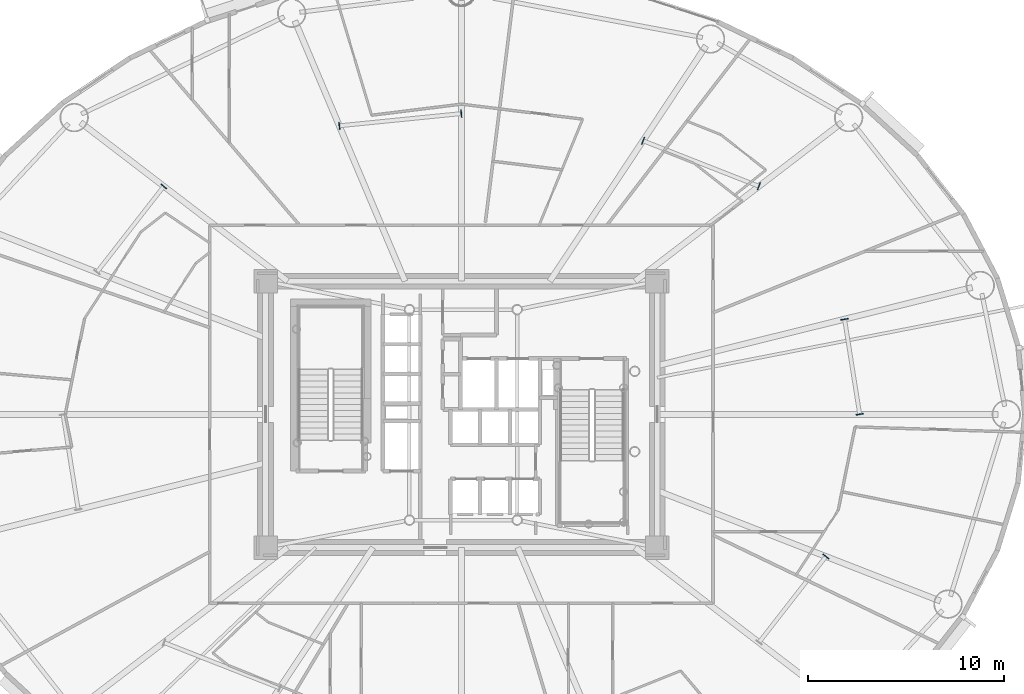
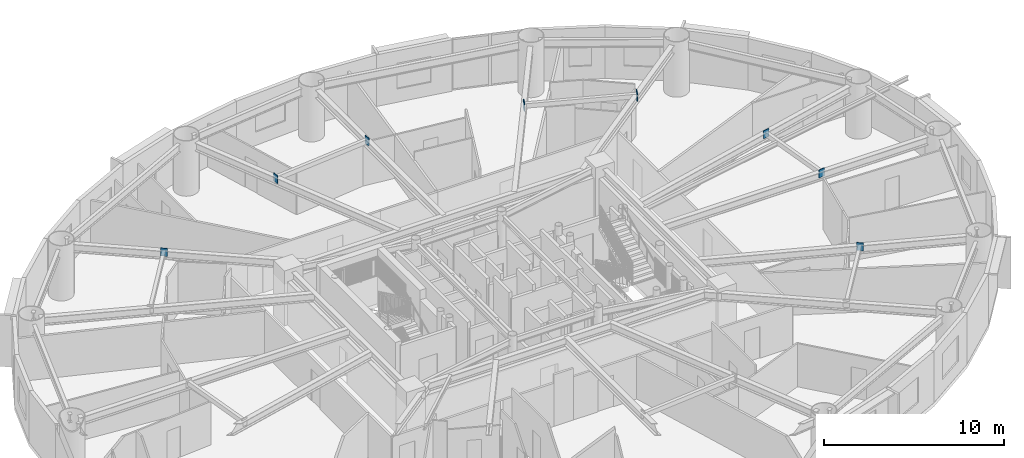
# One storey, part 8 of 21: 8 plates.
"""IFC4 building model written with IfcOpenShell, lengths in metres."""

import ifcopenshell
import ifcopenshell.guid

model = None  # the IFC model being written
_history = None  # IfcOwnerHistory: only IFC2X3 demands one
_inside = {}  # id of a spatial element -> (the spatial element, [elements in it])
_under = {}  # id of a project, library or spatial element -> (it, [spatial elements below it])
_declared = {}  # id of a project -> (the project, [libraries it declares])
_typed = {}  # id of a type object -> (the type object, [elements of that type])
_made_of = {}  # id of a material, layer set ... -> (it, [elements and type objects made of it])


def new_model(schema):
    """Start an empty IFC model of exactly this schema.

    Asked for "IFC4X3", IfcOpenShell would pick the latest addendum, in which some entities
    have other attributes; the version numbers below select the first issue.
    IFC2X3 requires an IfcOwnerHistory on every rooted entity: one is made here for all.
    """
    global model, _history
    if schema == "IFC4X3":
        model = ifcopenshell.file(schema_version=(4, 3, 0, 0))
    else:
        model = ifcopenshell.file(schema=schema)
    _inside.clear()
    _under.clear()
    _declared.clear()
    _typed.clear()
    _made_of.clear()
    _history = None
    if model.schema == "IFC2X3":
        org = make("IfcOrganization", Name="unknown")
        user = make(
            "IfcPersonAndOrganization",
            ThePerson=make("IfcPerson", FamilyName="unknown"),
            TheOrganization=org,
        )
        app = make(
            "IfcApplication",
            ApplicationDeveloper=org,
            Version="unknown",
            ApplicationFullName="unknown",
            ApplicationIdentifier="unknown",
        )
        _history = make(
            "IfcOwnerHistory",
            OwningUser=user,
            OwningApplication=app,
            ChangeAction="ADDED",
            CreationDate=0,
        )
    return model


def make(cls, **values):
    """One entity of the class cls with the attributes given. An attribute that is None is left unset."""
    return model.create_entity(
        cls, **{name: value for name, value in values.items() if value is not None}
    )


def rooted(cls, **values):
    """An entity with a GlobalId (a new one), such as an element, a storey or a relation."""
    return make(cls, GlobalId=ifcopenshell.guid.new(), OwnerHistory=_history, **values)


def si_unit(unit_type, name, prefix=None):
    """IfcSIUnit, for example si_unit("LENGTHUNIT", "METRE", prefix="MILLI")."""
    return make("IfcSIUnit", UnitType=unit_type, Prefix=prefix, Name=name)


def assignment(units):
    """IfcUnitAssignment: the units of a project."""
    return None if units is None else make("IfcUnitAssignment", Units=units)


def point(xyz):
    """IfcCartesianPoint."""
    return None if xyz is None else make("IfcCartesianPoint", Coordinates=xyz)


def direction(xyz):
    """IfcDirection."""
    return None if xyz is None else make("IfcDirection", DirectionRatios=xyz)


def frame(location, z_axis=None, x_axis=None):
    """IfcAxis2Placement3D, a coordinate frame: its origin and axes. An axis left out is left unset."""
    return make(
        "IfcAxis2Placement3D",
        Location=point(location),
        Axis=direction(z_axis),
        RefDirection=direction(x_axis),
    )


def frame_2d(location, x_axis=None):
    """IfcAxis2Placement2D, a coordinate frame in the plane: its origin and x axis."""
    return make(
        "IfcAxis2Placement2D", Location=point(location), RefDirection=direction(x_axis)
    )


def origin():
    """The frame at (0, 0, 0) with its axes left unset."""
    return frame((0.0, 0.0, 0.0))


def origin_2d():
    """The frame at (0, 0) in the plane with its x axis left unset."""
    return frame_2d((0.0, 0.0))


def place(relative_to, where):
    """IfcLocalPlacement: puts the frame where relative to a parent placement (None: the world)."""
    return make(
        "IfcLocalPlacement", PlacementRelTo=relative_to, RelativePlacement=where
    )


def context(
    kind, dimensions, precision=None, world=None, true_north=None, identifier=None
):
    """IfcGeometricRepresentationContext, for example the 3D "Model" context."""
    return make(
        "IfcGeometricRepresentationContext",
        ContextIdentifier=identifier,
        ContextType=kind,
        CoordinateSpaceDimension=dimensions,
        Precision=precision,
        WorldCoordinateSystem=world,
        TrueNorth=true_north,
    )


def subcontext(parent, identifier, kind, view, scale=None):
    """IfcGeometricRepresentationSubContext, for example "Body" below "Model"."""
    return make(
        "IfcGeometricRepresentationSubContext",
        ContextIdentifier=identifier,
        ContextType=kind,
        ParentContext=parent,
        TargetScale=scale,
        TargetView=view,
    )


def project(units=None, contexts=None):
    """IfcProject with its units and contexts."""
    return rooted(
        "IfcProject",
        Name="project",
        RepresentationContexts=contexts,
        UnitsInContext=assignment(units),
    )


def spatial(cls, under=None, at=None, **own):
    """A site, building, storey or space (cls), placed at a placement, below another one or the project."""
    s = rooted(cls, ObjectPlacement=at, **own)
    if under is not None:
        _under.setdefault(under.id(), (under, []))[1].append(s)
    return s


def profile(cls, at=None, kind="AREA", **sizes):
    """A parametric profile (cls). Its sizes go by their IFC names, for example OverallWidth=200.0."""
    return make(cls, ProfileType=kind, Position=at, **sizes)


def rectangle(**sizes):
    """IfcRectangleProfileDef."""
    return profile("IfcRectangleProfileDef", **sizes)


def extrude(swept, where, along, depth):
    """IfcExtrudedAreaSolid: the profile swept, set in the frame where, extruded along a direction by depth."""
    return make(
        "IfcExtrudedAreaSolid",
        SweptArea=swept,
        Position=where,
        ExtrudedDirection=direction(along),
        Depth=depth,
    )


def shape(context_of_items, identifier, shape_type, items):
    """IfcShapeRepresentation: the items that make up one representation, for example the "Body"."""
    return make(
        "IfcShapeRepresentation",
        ContextOfItems=context_of_items,
        RepresentationIdentifier=identifier,
        RepresentationType=shape_type,
        Items=items,
    )


def source(mapping_origin, context_of_items, identifier, shape_type, items):
    """IfcRepresentationMap: a shape defined once, which mapped items show again and again."""
    return make(
        "IfcRepresentationMap",
        MappingOrigin=mapping_origin,
        MappedRepresentation=shape(context_of_items, identifier, shape_type, items),
    )


def transform(
    local_origin,
    x_axis=None,
    y_axis=None,
    z_axis=None,
    scale=None,
    scale2=None,
    scale3=None,
    uniform=True,
):
    """IfcCartesianTransformationOperator3D, or its non-uniform kind. x_axis, y_axis, z_axis: its Axis1, 2, 3."""
    if uniform:
        return make(
            "IfcCartesianTransformationOperator3D",
            Axis1=direction(x_axis),
            Axis2=direction(y_axis),
            LocalOrigin=point(local_origin),
            Scale=scale,
            Axis3=direction(z_axis),
        )
    return make(
        "IfcCartesianTransformationOperator3DnonUniform",
        Axis1=direction(x_axis),
        Axis2=direction(y_axis),
        LocalOrigin=point(local_origin),
        Scale=scale,
        Axis3=direction(z_axis),
        Scale2=scale2,
        Scale3=scale3,
    )


def mapped(mapping_source, mapping_target):
    """IfcMappedItem: shows the shape of a source again, moved by a transform."""
    return make(
        "IfcMappedItem", MappingSource=mapping_source, MappingTarget=mapping_target
    )


def material(Name=None, Category=None):
    """IfcMaterial."""
    return make("IfcMaterial", Name=Name, Category=Category)


def layer(
    of_material, thickness, ventilated=None, Name=None, Category=None, Priority=None
):
    """IfcMaterialLayer: one layer of a wall or slab, of a material (None: an air gap)."""
    return make(
        "IfcMaterialLayer",
        Material=of_material,
        LayerThickness=thickness,
        IsVentilated=ventilated,
        Name=Name,
        Category=Category,
        Priority=Priority,
    )


def layer_set(layers, Name=None):
    """IfcMaterialLayerSet."""
    return make("IfcMaterialLayerSet", MaterialLayers=layers, LayerSetName=Name)


def made_of(thing, what):
    """Note that an element or type object is made of a material, layer set ...; save() writes the relation."""
    if what is not None:
        _made_of.setdefault(what.id(), (what, []))[1].append(thing)
    return thing


def type_object(cls, material=None, **own):
    """A type object (cls), such as IfcWallType, which elements share."""
    return made_of(rooted(cls, **own), material)


def element(
    cls,
    number,
    at=None,
    inside=None,
    cuts=None,
    type_object=None,
    material=None,
    context=None,
    identifier="Body",
    shape_type=None,
    held_by="IfcProductDefinitionShape",
    body=None,
    shapes=None,
    **own,
):
    """One element of the class cls, such as IfcWall. Its Tag is "e" and its number.

    at: its placement. inside: the storey or other place that contains it. cuts: it is an
    opening in that element (IfcRelVoidsElement). A single representation is given by context,
    identifier, shape_type and body (its items); several are given by shapes. held_by: the class
    of the entity that holds the representations. save() writes the other relations.
    """
    e = rooted(cls, Tag="e%d" % number, ObjectPlacement=at, **own)
    if body is not None:
        shapes = [shape(context, identifier, shape_type, body)]
    if shapes is not None:
        e.Representation = make(held_by, Representations=shapes)
    if inside is not None:
        _inside.setdefault(inside.id(), (inside, []))[1].append(e)
    if cuts is not None:
        rooted(
            "IfcRelVoidsElement", RelatingBuildingElement=cuts, RelatedOpeningElement=e
        )
    if type_object is not None:
        _typed.setdefault(type_object.id(), (type_object, []))[1].append(e)
    return made_of(e, material)


def aggregate(whole, parts):
    """IfcRelAggregates: a whole, such as a stair, and the parts it consists of."""
    return rooted("IfcRelAggregates", RelatingObject=whole, RelatedObjects=parts)


def save(model, path):
    """Write the relations noted so far, then the file.

    IfcRelAggregates (storeys below a building ...), IfcRelContainedInSpatialStructure (elements
    in a storey), IfcRelDefinesByType, IfcRelAssociatesMaterial and IfcRelDeclares: one each for
    every whole, place, type object, material and project.
    """
    for whole, parts in _under.values():
        aggregate(whole, parts)
    for where, things in _inside.values():
        rooted(
            "IfcRelContainedInSpatialStructure",
            RelatedElements=things,
            RelatingStructure=where,
        )
    for kind, things in _typed.values():
        rooted("IfcRelDefinesByType", RelatedObjects=things, RelatingType=kind)
    for what, things in _made_of.values():
        rooted("IfcRelAssociatesMaterial", RelatedObjects=things, RelatingMaterial=what)
    for by, libraries in _declared.values():
        rooted("IfcRelDeclares", RelatingContext=by, RelatedDefinitions=libraries)
    model.write(path)


model = new_model("IFC4")

# Units and contexts
model_context = context("Model", 3, precision=1e-05, world=origin(), true_north=direction((0.0, 1.0)))
body_context = subcontext(model_context, "Body", "Model", "MODEL_VIEW")
ifc_project = project(units=[si_unit("LENGTHUNIT", "METRE"), si_unit("AREAUNIT", "SQUARE_METRE"), si_unit("VOLUMEUNIT", "CUBIC_METRE"), si_unit("PLANEANGLEUNIT", "RADIAN"), si_unit("MASSUNIT", "GRAM", prefix="KILO")], contexts=[model_context])

# Site, building, storey
site_placement = place(None, origin())
site = spatial("IfcSite", under=ifc_project, at=site_placement, CompositionType="ELEMENT")
building_placement = place(site_placement, origin())
building = spatial("IfcBuilding", under=site, at=building_placement, Name="Linh Dai School and Residence Tower", CompositionType="ELEMENT")
storey_placement = place(building_placement, frame((0.0, 0.0, 97.199951171875)))
storey = spatial("IfcBuildingStorey", under=building, at=storey_placement, Name="L22", CompositionType="ELEMENT", Elevation=97.199951171875)

# Plates
ifc_material = material(Name="Structural Steel S355JR", Category="steel")
ifc_layer = layer(ifc_material, 0.0400390625)
ifc_layer_set = layer_set([ifc_layer], Name="Structural Steel S355JR")
plate_type = type_object("IfcPlateType", Name="PLT-GP1", PredefinedType="USERDEFINED", material=ifc_layer_set)
shared_shape = source(origin(), body_context, "Body", "SweptSolid", [
    extrude(rectangle(XDim=0.0400390625, YDim=0.3798828125, at=origin_2d()), origin(), (0.0, 0.0, 1.0), 0.5400390625),
])
for number, where, z_axis, x_axis, name in (
    (1, (56.337646484375, 27.0048828125, 3.080078125), (0.0, 0.0, 1.0), (-0.157025103807, 0.987594611556, 0.0), "L22 Secondary Beam End Plate 01A"),
    (2, (55.56640625, 31.85546875, 3.080078125), (0.0, 0.0, 1.0), (-0.157025103807, 0.987594611556, 0.0), "L22 Secondary Beam End Plate 01B"),
    (3, (51.189453125, 38.64794921875, 3.080078125), (0.0, 0.0, 1.0), (-0.930752465806, 0.3656498973, 0.0), "L22 Secondary Beam End Plate 02A"),
    (4, (45.279296875, 40.969970703125, 3.080078125), (0.0, 0.0, 1.0), (-0.930752465806, 0.3656498973, 0.0), "L22 Secondary Beam End Plate 02B"),
    (5, (35.9951171875, 42.357421875, 3.080078125), (0.0, 0.0, 1.0), (-0.995041739642, -0.09945821419, 0.0), "L22 Secondary Beam End Plate 03A"),
    (6, (29.7705078125, 41.7353515625, 3.080078125), (0.0, 0.0, 1.0), (-0.995041739642, -0.09945821419, 0.0), "L22 Secondary Beam End Plate 03B"),
    (7, (20.802734375, 38.64208984375, 3.080078125), (0.0, 0.0, 1.0), (-0.614362913717, -0.789023580287, 0.0), "L22 Secondary Beam End Plate 04A"),
    (8, (54.609375, 19.739990234375, 3.080078125), (0.0, 0.0, 1.0), (0.614362913717, 0.789023580287, 0.0), "L22 Secondary Beam End Plate 08B"),
):
    element("IfcPlate", number, at=place(storey_placement, frame(where, z_axis=z_axis, x_axis=x_axis)), inside=storey, type_object=plate_type, Name=name, ObjectType="GUSSET PLATE", PredefinedType="USERDEFINED", context=body_context, shape_type="MappedRepresentation", body=[
        mapped(shared_shape, transform((0.0, 0.0, 0.0), x_axis=(1.0, 0.0, 0.0), y_axis=(0.0, 1.0, 0.0), z_axis=(0.0, 0.0, 1.0), scale=1.0)),
    ])

save(model, "model.ifc")
